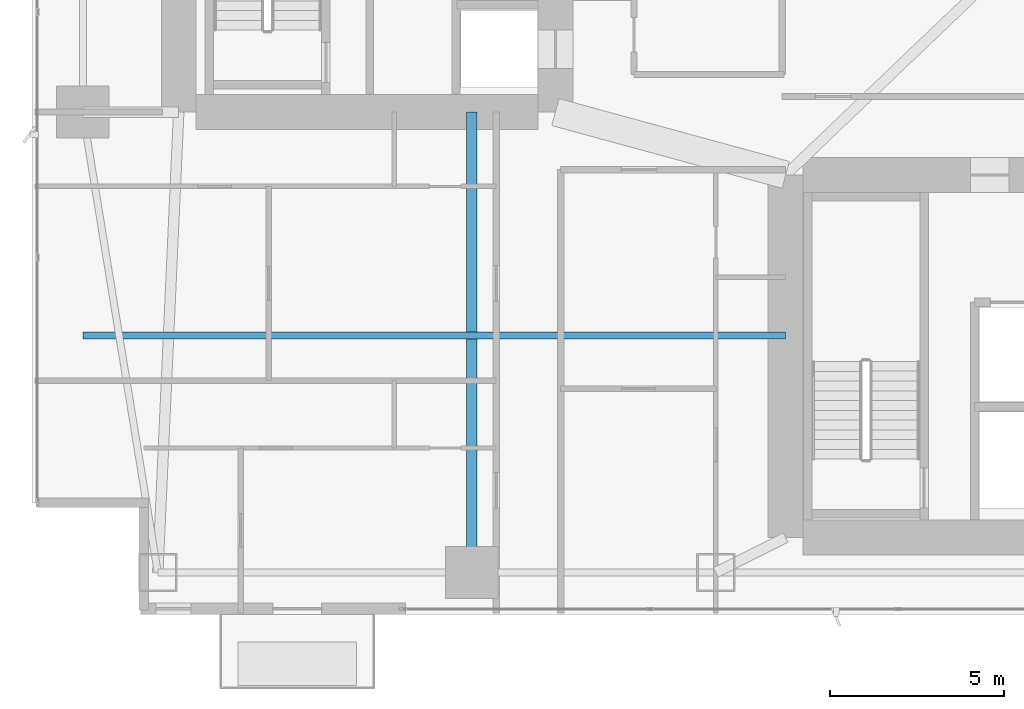
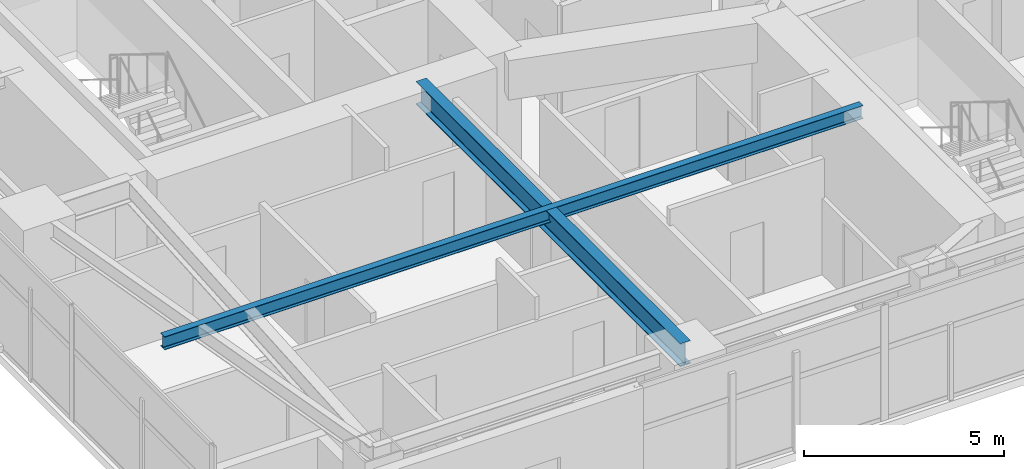
# One storey, part 4 of 28: 2 beams.
"""IFC4 building model written with IfcOpenShell, lengths in metres."""

from ifc_helpers import new_model, si_unit, direction, frame, origin, origin_2d, place, context, subcontext, project, spatial, i_section, extrude, material, material_profile, profile_set, type_object, element, save


model = new_model("IFC4")

# Units and contexts
model_context = context("Model", 3, precision=1e-05, world=origin(), true_north=direction((0.0, 1.0)))
body_context = subcontext(model_context, "Body", "Model", "MODEL_VIEW")
ifc_project = project(units=[si_unit("LENGTHUNIT", "METRE"), si_unit("AREAUNIT", "SQUARE_METRE"), si_unit("VOLUMEUNIT", "CUBIC_METRE"), si_unit("PLANEANGLEUNIT", "RADIAN"), si_unit("MASSUNIT", "GRAM", prefix="KILO")], contexts=[model_context])

# Site, building, storey
site_placement = place(None, origin())
site = spatial("IfcSite", under=ifc_project, at=site_placement, CompositionType="ELEMENT")
building_placement = place(site_placement, origin())
building = spatial("IfcBuilding", under=site, at=building_placement, Name="Calvorn Quay Hotel", CompositionType="ELEMENT")
storey_placement = place(building_placement, frame((0.0, 0.0, 88.800048828125)))
storey = spatial("IfcBuildingStorey", under=building, at=storey_placement, Name="L21", CompositionType="ELEMENT", Elevation=88.800048828125)

# Beams
ifc_material_1 = material(Name="Steel Q390GJC", Category="steel")
ifc_material_profile_1 = material_profile(ifc_material_1, i_section(OverallWidth=0.300048828125, OverallDepth=0.699951171875, WebThickness=0.012939453125, FlangeThickness=0.02392578125, FilletRadius=0.02392578125, at=origin_2d()), Name="HN700x300x13x24")
ifc_profile_set_1 = profile_set([ifc_material_profile_1], Name="Steel Q390GJC")
beam_type_1 = type_object("IfcBeamType", Name="BM-GIRD-MAIN", PredefinedType="BEAM", material=ifc_profile_set_1)
beam_1_placement = place(storey_placement, frame((12.60009765625, 3.60009765625, 3.169921875), z_axis=(0.0, 1.0, 0.0), x_axis=(-1.0, 0.0, 0.0)))
element("IfcBeam", 1, at=beam_1_placement, inside=storey, type_object=beam_type_1, Name="Beam BG-L21-S1", PredefinedType="BEAM", context=body_context, shape_type="SweptSolid", body=[
    extrude(i_section(OverallWidth=0.300048828125, OverallDepth=0.699951171875, WebThickness=0.012939453125, FlangeThickness=0.02392578125, FilletRadius=0.02392578125, at=origin_2d()), origin(), (0.0, 0.0, 1.0), 13.199951171875),
])
ifc_material_2 = material(Name="Steel Q355B", Category="steel")
ifc_material_profile_2 = material_profile(ifc_material_2, i_section(OverallWidth=0.199951171875, OverallDepth=0.39990234375, WebThickness=0.008056640625, FlangeThickness=0.012939453125, FilletRadius=0.01611328125, at=origin_2d()), Name="HN400x200x8x13")
ifc_profile_set_2 = profile_set([ifc_material_profile_2], Name="Steel Q355B")
beam_type_2 = type_object("IfcBeamType", Name="BM-JOIST-TYP", PredefinedType="JOIST", material=ifc_profile_set_2)
beam_2_placement = place(storey_placement, frame((1.449951171875, 10.39990234375, 3.320068359375), z_axis=(1.0, 0.0, 0.0), x_axis=(0.0, 1.0, 0.0)))
element("IfcBeam", 2, at=beam_2_placement, inside=storey, type_object=beam_type_2, Name="Beam BJ-L21-W1", PredefinedType="JOIST", context=body_context, shape_type="SweptSolid", body=[
    extrude(i_section(OverallWidth=0.199951171875, OverallDepth=0.39990234375, WebThickness=0.008056640625, FlangeThickness=0.012939453125, FilletRadius=0.01611328125, at=origin_2d()), origin(), (0.0, 0.0, 1.0), 20.150146484375),
])

save(model, "model.ifc")
